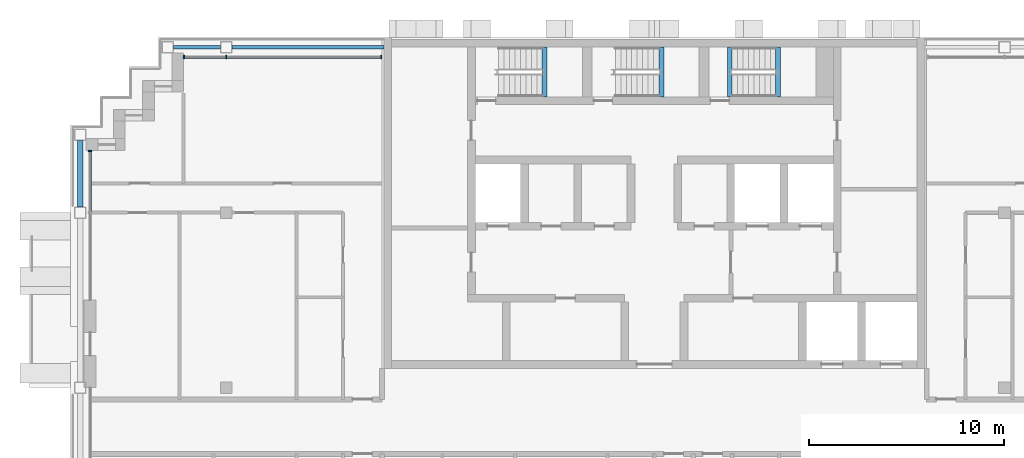
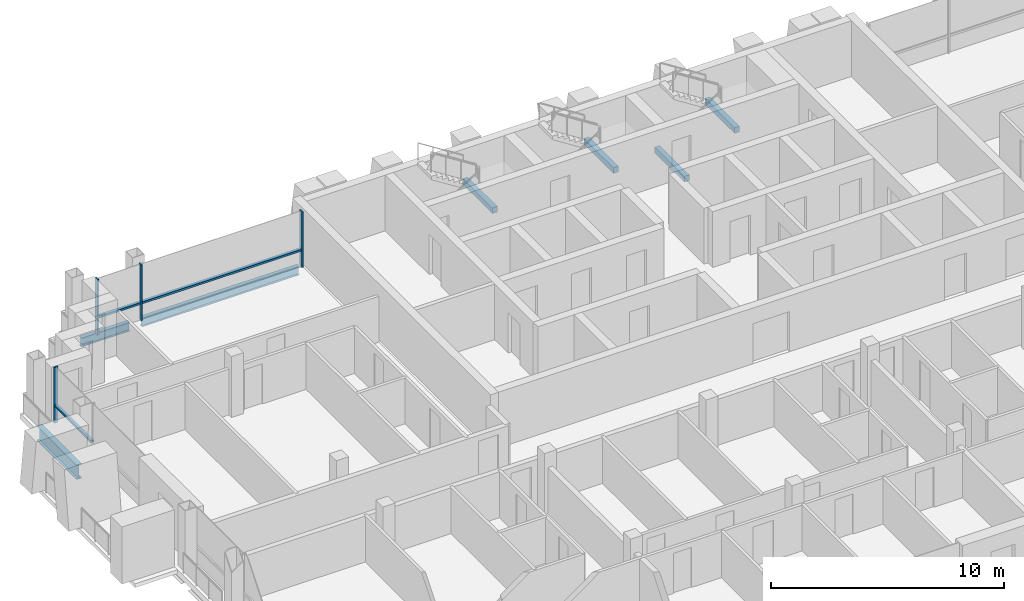
# One storey, part 4 of 15: 7 beams, 7 members, 2 elements without a shape of their own.
"""IFC4 building model written with IfcOpenShell, lengths in metres."""

from ifc_helpers import new_model, si_unit, direction, frame, origin, origin_2d, place, context, subcontext, project, spatial, rectangle, i_section, extrude, material, material_profile, profile_set, type_object, element, aggregate, save


model = new_model("IFC4")

# Units and contexts
model_context = context("Model", 3, precision=1e-05, world=origin(), true_north=direction((0.0, 1.0)))
body_context = subcontext(model_context, "Body", "Model", "MODEL_VIEW")
ifc_project = project(units=[si_unit("LENGTHUNIT", "METRE"), si_unit("AREAUNIT", "SQUARE_METRE"), si_unit("VOLUMEUNIT", "CUBIC_METRE"), si_unit("PLANEANGLEUNIT", "RADIAN"), si_unit("MASSUNIT", "GRAM", prefix="KILO")], contexts=[model_context])

# Site, building, storey
site_placement = place(None, origin())
site = spatial("IfcSite", under=ifc_project, at=site_placement, CompositionType="ELEMENT")
building_placement = place(site_placement, origin())
building = spatial("IfcBuilding", under=site, at=building_placement, Name="Vidyagriha Tower", CompositionType="ELEMENT")
storey_placement = place(building_placement, frame((0.0, 0.0, 233.199951171875)))
storey = spatial("IfcBuildingStorey", under=building, at=storey_placement, Name="L61", CompositionType="ELEMENT", Elevation=233.199951171875)

# Beams
ifc_material_1 = material(Name="Steel ASTM A992 Grade 50", Category="steel")
ifc_material_profile_1 = material_profile(ifc_material_1, i_section(OverallWidth=0.2666015625, OverallDepth=0.76953125, WebThickness=0.015625, FlangeThickness=0.025390625, at=origin_2d()), Name="W30X132")
ifc_profile_set_1 = profile_set([ifc_material_profile_1], Name="Steel ASTM A992 Grade 50")
beam_type_1 = type_object("IfcBeamType", Name="Cantilever edge beam W30X132", PredefinedType="SPANDREL", material=ifc_profile_set_1)
beam_1_placement = place(storey_placement, frame((-29.5, 11.300048828125, -0.664794921875), z_axis=(0.0, 1.0, 0.0), x_axis=(-1.0, 0.0, 0.0)))
element("IfcBeam", 1, at=beam_1_placement, inside=storey, type_object=beam_type_1, Name="st-beam-L61-W12", PredefinedType="SPANDREL", context=body_context, shape_type="SweptSolid", body=[
    extrude(i_section(OverallWidth=0.2666015625, OverallDepth=0.76953125, WebThickness=0.015625, FlangeThickness=0.025390625, at=origin_2d()), origin(), (0.0, 0.0, 1.0), 3.39990234375),
])
ifc_material_2 = material(Name="Steel ASTM A992 Grade 50", Category="steel")
ifc_material_profile_2 = material_profile(ifc_material_2, i_section(OverallWidth=0.19189453125, OverallDepth=0.46240234375, WebThickness=0.010498046875, FlangeThickness=0.017578125, at=origin_2d()), Name="W18X60")
ifc_profile_set_2 = profile_set([ifc_material_profile_2], Name="Steel ASTM A992 Grade 50")
beam_type_2 = type_object("IfcBeamType", Name="Edge beam W18X60", PredefinedType="SPANDREL", material=ifc_profile_set_2)
beam_2_placement = place(storey_placement, frame((-24.699951171875, 19.5, -0.510986328125), z_axis=(1.0, 0.0, 0.0), x_axis=(0.0, 1.0, 0.0)))
element("IfcBeam", 2, at=beam_2_placement, inside=storey, type_object=beam_type_2, Name="st-beam-L61-NW18", PredefinedType="SPANDREL", context=body_context, shape_type="SweptSolid", body=[
    extrude(i_section(OverallWidth=0.19189453125, OverallDepth=0.46240234375, WebThickness=0.010498046875, FlangeThickness=0.017578125, at=origin_2d()), origin(), (0.0, 0.0, 1.0), 2.39990234375),
])
beam_3_placement = place(storey_placement, frame((-21.699951171875, 19.5, -0.510986328125), z_axis=(1.0, 0.0, 0.0), x_axis=(0.0, 1.0, 0.0)))
element("IfcBeam", 3, at=beam_3_placement, inside=storey, type_object=beam_type_2, Name="st-beam-L61-NC20", PredefinedType="SPANDREL", context=body_context, shape_type="SweptSolid", body=[
    extrude(i_section(OverallWidth=0.19189453125, OverallDepth=0.46240234375, WebThickness=0.010498046875, FlangeThickness=0.017578125, at=origin_2d()), origin(), (0.0, 0.0, 1.0), 7.800048828125),
])

# Curtain wall, members
ifc_material_3 = material(Name="Aluminium and glass curtain wall", Category="aluminium")
curtain_wall_type = type_object("IfcCurtainWallType", Name="Dwelling skin unitised curtain wall", PredefinedType="USERDEFINED", material=ifc_material_3)
curtain_wall_1_placement = place(storey_placement, origin())
curtain_wall_1 = element("IfcCurtainWall", 4, at=curtain_wall_1_placement, inside=storey, type_object=curtain_wall_type, Name="CW1 dwelling skin", ObjectType="UNITISED", PredefinedType="USERDEFINED")
ifc_material_4 = material(Name="Aluminium black anodised", Category="aluminium")
ifc_material_profile_3 = material_profile(ifc_material_4, rectangle(XDim=0.199951171875, YDim=0.070068359375, at=origin_2d()), Name="Mullion 70x200 black aluminium")
ifc_profile_set_3 = profile_set([ifc_material_profile_3], Name="Aluminium black anodised")
member_type_1 = type_object("IfcMemberType", Name="Mullion 70x200 black aluminium", PredefinedType="MULLION", material=ifc_profile_set_3)
member_1_placement = place(storey_placement, frame((-14.034912109375, 19.0, 0.0), z_axis=(0.0, 0.0, 1.0), x_axis=(0.0, -1.0, 0.0)))
member_1 = element("IfcMember", 5, at=member_1_placement, type_object=member_type_1, Name="CW1 mullion 1", PredefinedType="MULLION", context=body_context, shape_type="SweptSolid", body=[
    extrude(rectangle(XDim=0.199951171875, YDim=0.070068359375, at=origin_2d()), origin(), (0.0, 0.0, 1.0), 2.920166015625),
])
member_2_placement = place(storey_placement, frame((-22.0, 19.0, 0.0), z_axis=(0.0, 0.0, 1.0), x_axis=(0.0, -1.0, 0.0)))
member_2 = element("IfcMember", 6, at=member_2_placement, type_object=member_type_1, Name="CW1 mullion 2", PredefinedType="MULLION", context=body_context, shape_type="SweptSolid", body=[
    extrude(rectangle(XDim=0.199951171875, YDim=0.070068359375, at=origin_2d()), origin(), (0.0, 0.0, 1.0), 2.920166015625),
])
member_3_placement = place(storey_placement, frame((-24.1650390625, 19.0, 0.0), z_axis=(0.0, 0.0, 1.0), x_axis=(0.0, -1.0, 0.0)))
member_3 = element("IfcMember", 7, at=member_3_placement, type_object=member_type_1, Name="CW1 mullion 3", PredefinedType="MULLION", context=body_context, shape_type="SweptSolid", body=[
    extrude(rectangle(XDim=0.199951171875, YDim=0.070068359375, at=origin_2d()), origin(), (0.0, 0.0, 1.0), 2.920166015625),
])

# Curtain wall, member
curtain_wall_2_placement = place(storey_placement, origin())
curtain_wall_2 = element("IfcCurtainWall", 8, at=curtain_wall_2_placement, inside=storey, type_object=curtain_wall_type, Name="CW1 dwelling skin", ObjectType="UNITISED", PredefinedType="USERDEFINED")
member_4_placement = place(storey_placement, frame((-29.0, 14.1650390625, 0.0)))
member_4 = element("IfcMember", 9, at=member_4_placement, type_object=member_type_1, Name="CW1 mullion 1", PredefinedType="MULLION", context=body_context, shape_type="SweptSolid", body=[
    extrude(rectangle(XDim=0.199951171875, YDim=0.070068359375, at=origin_2d()), origin(), (0.0, 0.0, 1.0), 2.920166015625),
])

# Beams
ifc_material_5 = material(Name="Concrete C40/50", Category="concrete")
ifc_material_profile_4 = material_profile(ifc_material_5, rectangle(XDim=0.25, YDim=0.300048828125, at=origin_2d()), Name="Stair landing bearing beam 250x300")
ifc_profile_set_4 = profile_set([ifc_material_profile_4], Name="Concrete C40/50")
beam_type_3 = type_object("IfcBeamType", Name="Stair landing bearing beam 250x300", PredefinedType="BEAM", material=ifc_profile_set_4)
for number, where, z_axis, x_axis, name in (
    (10, (3.875, 16.949951171875, -0.429931640625), (0.0, 1.0, 0.0), (-1.0, 0.0, 0.0), "ST3 floor landing bearing beam L61"),
    (11, (-5.635009765625, 16.949951171875, 1.25), (0.0, 1.0, 0.0), (-1.0, 0.0, 0.0), "ST1 landing bearing beam L61"),
    (12, (0.364990234375, 16.949951171875, 1.25), (0.0, 1.0, 0.0), (-1.0, 0.0, 0.0), "ST2 landing bearing beam L61"),
    (13, (6.364990234375, 16.949951171875, 1.25), (0.0, 1.0, 0.0), (-1.0, 0.0, 0.0), "ST3 landing bearing beam L61"),
):
    element("IfcBeam", number, at=place(storey_placement, frame(where, z_axis=z_axis, x_axis=x_axis)), inside=storey, type_object=beam_type_3, Name=name, PredefinedType="BEAM", context=body_context, shape_type="SweptSolid", body=[
        extrude(rectangle(XDim=0.25, YDim=0.300048828125, at=origin_2d()), origin(), (0.0, 0.0, 1.0), 2.550048828125),
    ])

# Member
ifc_material_6 = material(Name="Aluminium black anodised", Category="aluminium")
ifc_material_profile_5 = material_profile(ifc_material_6, rectangle(XDim=0.159912109375, YDim=0.10009765625, at=origin_2d()), Name="Transom 100x160 black aluminium")
ifc_profile_set_5 = profile_set([ifc_material_profile_5], Name="Aluminium black anodised")
member_type_2 = type_object("IfcMemberType", Name="Transom 100x160 black aluminium", PredefinedType="USERDEFINED", material=ifc_profile_set_5)
member_5_placement = place(storey_placement, frame((-14.070068359375, 19.0, 0.900146484375), z_axis=(-1.0, 0.0, 0.0), x_axis=(0.0, -1.0, 0.0)))
member_5 = element("IfcMember", 14, at=member_5_placement, type_object=member_type_2, Name="CW1 transom 1.1", ObjectType="TRANSOM", PredefinedType="USERDEFINED", context=body_context, shape_type="SweptSolid", body=[
    extrude(rectangle(XDim=0.159912109375, YDim=0.10009765625, at=origin_2d()), origin(), (0.0, 0.0, 1.0), 7.89501953125),
])

member_6_placement = place(storey_placement, frame((-22.034912109375, 19.0, 0.900146484375), z_axis=(-1.0, 0.0, 0.0), x_axis=(0.0, -1.0, 0.0)))
member_6 = element("IfcMember", 15, at=member_6_placement, type_object=member_type_2, Name="CW1 transom 2.1", ObjectType="TRANSOM", PredefinedType="USERDEFINED", context=body_context, shape_type="SweptSolid", body=[
    extrude(rectangle(XDim=0.159912109375, YDim=0.10009765625, at=origin_2d()), origin(), (0.0, 0.0, 1.0), 2.094970703125),
])

aggregate(curtain_wall_1, [member_1, member_2, member_3, member_5, member_6])

member_7_placement = place(storey_placement, frame((-29.0, 14.1298828125, 0.900146484375), z_axis=(0.0, -1.0, 0.0), x_axis=(1.0, 0.0, 0.0)))
member_7 = element("IfcMember", 16, at=member_7_placement, type_object=member_type_2, Name="CW1 transom 1.1", ObjectType="TRANSOM", PredefinedType="USERDEFINED", context=body_context, shape_type="SweptSolid", body=[
    extrude(rectangle(XDim=0.159912109375, YDim=0.10009765625, at=origin_2d()), origin(), (0.0, 0.0, 1.0), 3.094970703125),
])

aggregate(curtain_wall_2, [member_4, member_7])

save(model, "model.ifc")
